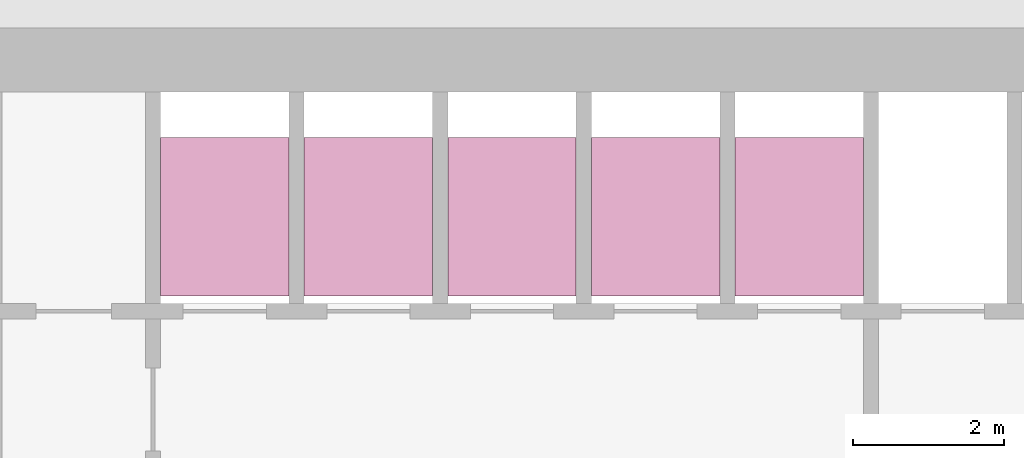
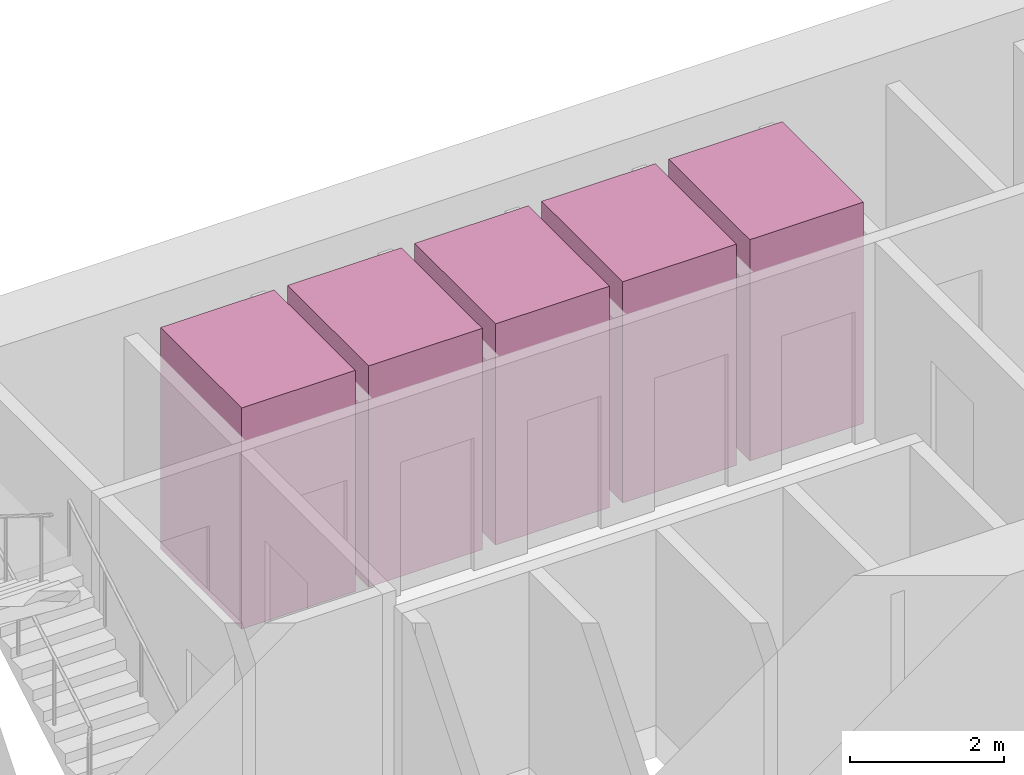
# One storey, part 14 of 14: 5 transport elements.
"""IFC4 building model written with IfcOpenShell, lengths in metres."""

import ifcopenshell
import ifcopenshell.guid

model = None  # the IFC model being written
_history = None  # IfcOwnerHistory: only IFC2X3 demands one
_inside = {}  # id of a spatial element -> (the spatial element, [elements in it])
_under = {}  # id of a project, library or spatial element -> (it, [spatial elements below it])
_declared = {}  # id of a project -> (the project, [libraries it declares])
_typed = {}  # id of a type object -> (the type object, [elements of that type])
_made_of = {}  # id of a material, layer set ... -> (it, [elements and type objects made of it])


def new_model(schema):
    """Start an empty IFC model of exactly this schema.

    Asked for "IFC4X3", IfcOpenShell would pick the latest addendum, in which some entities
    have other attributes; the version numbers below select the first issue.
    IFC2X3 requires an IfcOwnerHistory on every rooted entity: one is made here for all.
    """
    global model, _history
    if schema == "IFC4X3":
        model = ifcopenshell.file(schema_version=(4, 3, 0, 0))
    else:
        model = ifcopenshell.file(schema=schema)
    _inside.clear()
    _under.clear()
    _declared.clear()
    _typed.clear()
    _made_of.clear()
    _history = None
    if model.schema == "IFC2X3":
        org = make("IfcOrganization", Name="unknown")
        user = make(
            "IfcPersonAndOrganization",
            ThePerson=make("IfcPerson", FamilyName="unknown"),
            TheOrganization=org,
        )
        app = make(
            "IfcApplication",
            ApplicationDeveloper=org,
            Version="unknown",
            ApplicationFullName="unknown",
            ApplicationIdentifier="unknown",
        )
        _history = make(
            "IfcOwnerHistory",
            OwningUser=user,
            OwningApplication=app,
            ChangeAction="ADDED",
            CreationDate=0,
        )
    return model


def make(cls, **values):
    """One entity of the class cls with the attributes given. An attribute that is None is left unset."""
    return model.create_entity(
        cls, **{name: value for name, value in values.items() if value is not None}
    )


def rooted(cls, **values):
    """An entity with a GlobalId (a new one), such as an element, a storey or a relation."""
    return make(cls, GlobalId=ifcopenshell.guid.new(), OwnerHistory=_history, **values)


def si_unit(unit_type, name, prefix=None):
    """IfcSIUnit, for example si_unit("LENGTHUNIT", "METRE", prefix="MILLI")."""
    return make("IfcSIUnit", UnitType=unit_type, Prefix=prefix, Name=name)


def assignment(units):
    """IfcUnitAssignment: the units of a project."""
    return None if units is None else make("IfcUnitAssignment", Units=units)


def point(xyz):
    """IfcCartesianPoint."""
    return None if xyz is None else make("IfcCartesianPoint", Coordinates=xyz)


def direction(xyz):
    """IfcDirection."""
    return None if xyz is None else make("IfcDirection", DirectionRatios=xyz)


def frame(location, z_axis=None, x_axis=None):
    """IfcAxis2Placement3D, a coordinate frame: its origin and axes. An axis left out is left unset."""
    return make(
        "IfcAxis2Placement3D",
        Location=point(location),
        Axis=direction(z_axis),
        RefDirection=direction(x_axis),
    )


def frame_2d(location, x_axis=None):
    """IfcAxis2Placement2D, a coordinate frame in the plane: its origin and x axis."""
    return make(
        "IfcAxis2Placement2D", Location=point(location), RefDirection=direction(x_axis)
    )


def origin():
    """The frame at (0, 0, 0) with its axes left unset."""
    return frame((0.0, 0.0, 0.0))


def origin_2d():
    """The frame at (0, 0) in the plane with its x axis left unset."""
    return frame_2d((0.0, 0.0))


def place(relative_to, where):
    """IfcLocalPlacement: puts the frame where relative to a parent placement (None: the world)."""
    return make(
        "IfcLocalPlacement", PlacementRelTo=relative_to, RelativePlacement=where
    )


def context(
    kind, dimensions, precision=None, world=None, true_north=None, identifier=None
):
    """IfcGeometricRepresentationContext, for example the 3D "Model" context."""
    return make(
        "IfcGeometricRepresentationContext",
        ContextIdentifier=identifier,
        ContextType=kind,
        CoordinateSpaceDimension=dimensions,
        Precision=precision,
        WorldCoordinateSystem=world,
        TrueNorth=true_north,
    )


def subcontext(parent, identifier, kind, view, scale=None):
    """IfcGeometricRepresentationSubContext, for example "Body" below "Model"."""
    return make(
        "IfcGeometricRepresentationSubContext",
        ContextIdentifier=identifier,
        ContextType=kind,
        ParentContext=parent,
        TargetScale=scale,
        TargetView=view,
    )


def project(units=None, contexts=None):
    """IfcProject with its units and contexts."""
    return rooted(
        "IfcProject",
        Name="project",
        RepresentationContexts=contexts,
        UnitsInContext=assignment(units),
    )


def spatial(cls, under=None, at=None, **own):
    """A site, building, storey or space (cls), placed at a placement, below another one or the project."""
    s = rooted(cls, ObjectPlacement=at, **own)
    if under is not None:
        _under.setdefault(under.id(), (under, []))[1].append(s)
    return s


def profile(cls, at=None, kind="AREA", **sizes):
    """A parametric profile (cls). Its sizes go by their IFC names, for example OverallWidth=200.0."""
    return make(cls, ProfileType=kind, Position=at, **sizes)


def rectangle(**sizes):
    """IfcRectangleProfileDef."""
    return profile("IfcRectangleProfileDef", **sizes)


def extrude(swept, where, along, depth):
    """IfcExtrudedAreaSolid: the profile swept, set in the frame where, extruded along a direction by depth."""
    return make(
        "IfcExtrudedAreaSolid",
        SweptArea=swept,
        Position=where,
        ExtrudedDirection=direction(along),
        Depth=depth,
    )


def shape(context_of_items, identifier, shape_type, items):
    """IfcShapeRepresentation: the items that make up one representation, for example the "Body"."""
    return make(
        "IfcShapeRepresentation",
        ContextOfItems=context_of_items,
        RepresentationIdentifier=identifier,
        RepresentationType=shape_type,
        Items=items,
    )


def material(Name=None, Category=None):
    """IfcMaterial."""
    return make("IfcMaterial", Name=Name, Category=Category)


def made_of(thing, what):
    """Note that an element or type object is made of a material, layer set ...; save() writes the relation."""
    if what is not None:
        _made_of.setdefault(what.id(), (what, []))[1].append(thing)
    return thing


def type_object(cls, material=None, **own):
    """A type object (cls), such as IfcWallType, which elements share."""
    return made_of(rooted(cls, **own), material)


def element(
    cls,
    number,
    at=None,
    inside=None,
    cuts=None,
    type_object=None,
    material=None,
    context=None,
    identifier="Body",
    shape_type=None,
    held_by="IfcProductDefinitionShape",
    body=None,
    shapes=None,
    **own,
):
    """One element of the class cls, such as IfcWall. Its Tag is "e" and its number.

    at: its placement. inside: the storey or other place that contains it. cuts: it is an
    opening in that element (IfcRelVoidsElement). A single representation is given by context,
    identifier, shape_type and body (its items); several are given by shapes. held_by: the class
    of the entity that holds the representations. save() writes the other relations.
    """
    e = rooted(cls, Tag="e%d" % number, ObjectPlacement=at, **own)
    if body is not None:
        shapes = [shape(context, identifier, shape_type, body)]
    if shapes is not None:
        e.Representation = make(held_by, Representations=shapes)
    if inside is not None:
        _inside.setdefault(inside.id(), (inside, []))[1].append(e)
    if cuts is not None:
        rooted(
            "IfcRelVoidsElement", RelatingBuildingElement=cuts, RelatedOpeningElement=e
        )
    if type_object is not None:
        _typed.setdefault(type_object.id(), (type_object, []))[1].append(e)
    return made_of(e, material)


def aggregate(whole, parts):
    """IfcRelAggregates: a whole, such as a stair, and the parts it consists of."""
    return rooted("IfcRelAggregates", RelatingObject=whole, RelatedObjects=parts)


def save(model, path):
    """Write the relations noted so far, then the file.

    IfcRelAggregates (storeys below a building ...), IfcRelContainedInSpatialStructure (elements
    in a storey), IfcRelDefinesByType, IfcRelAssociatesMaterial and IfcRelDeclares: one each for
    every whole, place, type object, material and project.
    """
    for whole, parts in _under.values():
        aggregate(whole, parts)
    for where, things in _inside.values():
        rooted(
            "IfcRelContainedInSpatialStructure",
            RelatedElements=things,
            RelatingStructure=where,
        )
    for kind, things in _typed.values():
        rooted("IfcRelDefinesByType", RelatedObjects=things, RelatingType=kind)
    for what, things in _made_of.values():
        rooted("IfcRelAssociatesMaterial", RelatedObjects=things, RelatingMaterial=what)
    for by, libraries in _declared.values():
        rooted("IfcRelDeclares", RelatingContext=by, RelatedDefinitions=libraries)
    model.write(path)


model = new_model("IFC4")

# Units and contexts
model_context = context("Model", 3, precision=1e-05, world=origin(), true_north=direction((0.0, 1.0)))
body_context = subcontext(model_context, "Body", "Model", "MODEL_VIEW")
ifc_project = project(units=[si_unit("LENGTHUNIT", "METRE"), si_unit("AREAUNIT", "SQUARE_METRE"), si_unit("VOLUMEUNIT", "CUBIC_METRE"), si_unit("PLANEANGLEUNIT", "RADIAN"), si_unit("MASSUNIT", "GRAM", prefix="KILO")], contexts=[model_context])

# Site, building, storey
site_placement = place(None, origin())
site = spatial("IfcSite", under=ifc_project, at=site_placement, CompositionType="ELEMENT")
building_placement = place(site_placement, origin())
building = spatial("IfcBuilding", under=site, at=building_placement, Name="Altiplano Prism Tower", CompositionType="ELEMENT")
storey_placement = place(building_placement, frame((0.0, 0.0, 63.0)))
storey = spatial("IfcBuildingStorey", under=building, at=storey_placement, Name="L15", CompositionType="ELEMENT", Elevation=63.0)

# Transport elements
ifc_material = material(Name="Stainless steel lift car", Category="steel")
transport_element_type = type_object("IfcTransportElementType", Name="Passenger lift car 1600 x 2100", PredefinedType="ELEVATOR", material=ifc_material)
for number, where, z_axis, x_axis, name in (
    (1, (79.050048828125, 101.75, 0.050048828125), (0.0, 0.0, 1.0), (1.0, 0.0, 0.0), "Low Zone Passenger Lift 1"),
    (2, (80.949951171875, 101.75, 0.050048828125), (0.0, 0.0, 1.0), (1.0, 0.0, 0.0), "Low Zone Passenger Lift 2"),
    (3, (82.85009765625, 101.75, 0.050048828125), (0.0, 0.0, 1.0), (1.0, 0.0, 0.0), "Low Zone Passenger Lift 3"),
    (4, (84.75, 101.75, 0.050048828125), (0.0, 0.0, 1.0), (1.0, 0.0, 0.0), "Low Zone Passenger Lift 4"),
    (5, (86.64990234375, 101.75, 0.050048828125), (0.0, 0.0, 1.0), (1.0, 0.0, 0.0), "Low Zone Passenger Lift 5"),
):
    element("IfcTransportElement", number, at=place(storey_placement, frame(where, z_axis=z_axis, x_axis=x_axis)), inside=storey, type_object=transport_element_type, Name=name, PredefinedType="ELEVATOR", context=body_context, shape_type="SweptSolid", body=[
        extrude(rectangle(XDim=1.699951171875, YDim=2.10009765625, at=origin_2d()), origin(), (0.0, 0.0, 1.0), 3.5),
    ])

save(model, "model.ifc")
